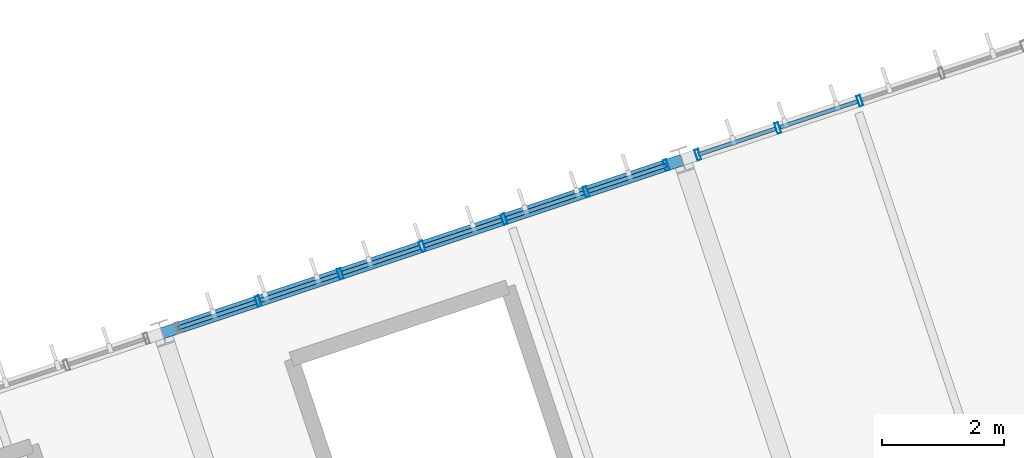
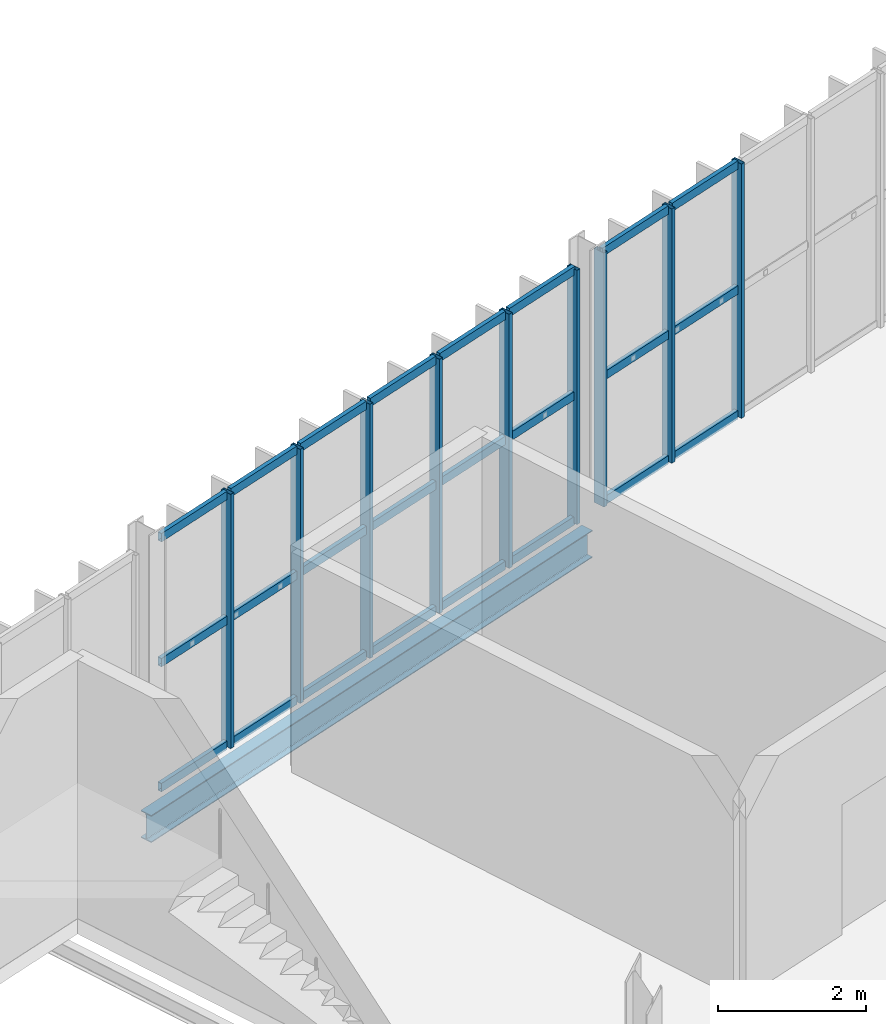
# One storey, part 90 of 152: 33 members, 1 beam, 2 elements without a shape of their own.
"""IFC4 building model written with IfcOpenShell, lengths in metres."""

from ifc_helpers import new_model, si_unit, derived_unit, direction, frame, origin, origin_2d, place, context, subcontext, project, spatial, hollow_rectangle, i_section, extrude, material, material_profile, profile_set, type_object, element, aggregate, save


model = new_model("IFC4")

# Units and contexts
model_context = context("Model", 3, precision=1e-05, world=origin(), true_north=direction((0.0, 1.0)))
body_context = subcontext(model_context, "Body", "Model", "MODEL_VIEW")
ifc_project = project(units=[si_unit("LENGTHUNIT", "METRE"), si_unit("AREAUNIT", "SQUARE_METRE"), si_unit("VOLUMEUNIT", "CUBIC_METRE"), si_unit("PLANEANGLEUNIT", "RADIAN"), si_unit("MASSUNIT", "GRAM", prefix="KILO"), si_unit("THERMODYNAMICTEMPERATUREUNIT", "KELVIN"), si_unit("TIMEUNIT", "SECOND"), derived_unit("THERMALTRANSMITTANCEUNIT", [(si_unit("MASSUNIT", "GRAM", prefix="KILO"), 1), (si_unit("THERMODYNAMICTEMPERATUREUNIT", "KELVIN"), -1), (si_unit("TIMEUNIT", "SECOND"), -3)])], contexts=[model_context])

# Site, building, storey
site_placement = place(None, origin())
site = spatial("IfcSite", under=ifc_project, at=site_placement, CompositionType="ELEMENT")
building_placement = place(site_placement, origin())
building = spatial("IfcBuilding", under=site, at=building_placement, Name="Cambertide Market Hall", CompositionType="ELEMENT")
storey_placement = place(building_placement, frame((0.0, 0.0, 5.39990234375)))
storey = spatial("IfcBuildingStorey", under=building, at=storey_placement, Name="L02", CompositionType="ELEMENT", Elevation=5.39990234375)

# Curtain wall, members
ifc_material_1 = material(Name="Marine Anodized Aluminium 6063-T6 AA25", Category="aluminium")
curtain_wall_type = type_object("IfcCurtainWallType", Name="Food Court Upper Glazed Facade", PredefinedType="USERDEFINED", material=ifc_material_1)
curtain_wall_1_placement = place(storey_placement, origin())
curtain_wall_1 = element("IfcCurtainWall", 1, at=curtain_wall_1_placement, inside=storey, type_object=curtain_wall_type, Name="Level 2 Curtain Wall CW-V3N-L02-6", ObjectType="UNITIZED CURTAIN WALL", PredefinedType="USERDEFINED")
ifc_material_2 = material(Name="Champagne Marine Anodized Aluminium 6063-T6 AA25", Category="aluminium")
ifc_material_profile_1 = material_profile(ifc_material_2, hollow_rectangle(XDim=0.06494140625, YDim=0.179931640625, WallThickness=0.00390625, at=origin_2d()), Name="ALU MULLION 65x180")
ifc_profile_set_1 = profile_set([ifc_material_profile_1], Name="Champagne Marine Anodized Aluminium 6063-T6 AA25")
member_type_1 = type_object("IfcMemberType", Name="Curtain Wall Mullion ALU MULLION 65x180", PredefinedType="MULLION", material=ifc_profile_set_1)
member_1_placement = place(storey_placement, frame((141.727294921875, 52.36962890625, 0.0), z_axis=(0.0, 0.0, 1.0), x_axis=(0.948683274577, 0.316227836438, 0.0)))
member_1 = element("IfcMember", 2, at=member_1_placement, type_object=member_type_1, Name="CW-V3N-L02-6 Mullion 2", PredefinedType="MULLION", context=body_context, shape_type="SweptSolid", body=[
    extrude(hollow_rectangle(XDim=0.06494140625, YDim=0.179931640625, WallThickness=0.00390625, at=origin_2d()), origin(), (0.0, 0.0, 1.0), 4.2001953125),
])
member_2_placement = place(storey_placement, frame((143.074462890625, 52.818603515625, 0.0), z_axis=(0.0, 0.0, 1.0), x_axis=(0.948683274577, 0.316227836438, 0.0)))
member_2 = element("IfcMember", 3, at=member_2_placement, type_object=member_type_1, Name="CW-V3N-L02-6 Mullion 3", PredefinedType="MULLION", context=body_context, shape_type="SweptSolid", body=[
    extrude(hollow_rectangle(XDim=0.06494140625, YDim=0.179931640625, WallThickness=0.00390625, at=origin_2d()), origin(), (0.0, 0.0, 1.0), 4.2001953125),
])
member_3_placement = place(storey_placement, frame((144.421630859375, 53.267822265625, 0.0), z_axis=(0.0, 0.0, 1.0), x_axis=(0.948683274577, 0.316227836438, 0.0)))
member_3 = element("IfcMember", 4, at=member_3_placement, type_object=member_type_1, Name="CW-V3N-L02-6 Mullion 4", PredefinedType="MULLION", context=body_context, shape_type="SweptSolid", body=[
    extrude(hollow_rectangle(XDim=0.06494140625, YDim=0.179931640625, WallThickness=0.00390625, at=origin_2d()), origin(), (0.0, 0.0, 1.0), 4.2001953125),
])
member_4_placement = place(storey_placement, frame((145.768798828125, 53.716796875, 0.0), z_axis=(0.0, 0.0, 1.0), x_axis=(0.948683274577, 0.316227836438, 0.0)))
member_4 = element("IfcMember", 5, at=member_4_placement, type_object=member_type_1, Name="CW-V3N-L02-6 Mullion 5", PredefinedType="MULLION", context=body_context, shape_type="SweptSolid", body=[
    extrude(hollow_rectangle(XDim=0.06494140625, YDim=0.179931640625, WallThickness=0.00390625, at=origin_2d()), origin(), (0.0, 0.0, 1.0), 4.2001953125),
])
member_5_placement = place(storey_placement, frame((147.115966796875, 54.165771484375, 0.0), z_axis=(0.0, 0.0, 1.0), x_axis=(0.948683274577, 0.316227836438, 0.0)))
member_5 = element("IfcMember", 6, at=member_5_placement, type_object=member_type_1, Name="CW-V3N-L02-6 Mullion 6", PredefinedType="MULLION", context=body_context, shape_type="SweptSolid", body=[
    extrude(hollow_rectangle(XDim=0.06494140625, YDim=0.179931640625, WallThickness=0.00390625, at=origin_2d()), origin(), (0.0, 0.0, 1.0), 4.2001953125),
])
member_6_placement = place(storey_placement, frame((148.429931640625, 54.603759765625, 0.0), z_axis=(0.0, 0.0, 1.0), x_axis=(0.948683274577, 0.316227836438, 0.0)))
member_6 = element("IfcMember", 7, at=member_6_placement, type_object=member_type_1, Name="CW-V3N-L02-6 Mullion 7", PredefinedType="MULLION", context=body_context, shape_type="SweptSolid", body=[
    extrude(hollow_rectangle(XDim=0.06494140625, YDim=0.179931640625, WallThickness=0.00390625, at=origin_2d()), origin(), (0.0, 0.0, 1.0), 4.2001953125),
])

curtain_wall_2_placement = place(storey_placement, origin())
curtain_wall_2 = element("IfcCurtainWall", 8, at=curtain_wall_2_placement, inside=storey, type_object=curtain_wall_type, Name="Level 2 Curtain Wall CW-V3N-L02-7", ObjectType="UNITIZED CURTAIN WALL", PredefinedType="USERDEFINED")
member_7_placement = place(storey_placement, frame((148.95166015625, 54.77783203125, 0.0), z_axis=(0.0, 0.0, 1.0), x_axis=(0.948683286311, 0.316227801236, 0.0)))
member_7 = element("IfcMember", 9, at=member_7_placement, type_object=member_type_1, Name="CW-V3N-L02-7 Mullion 1", PredefinedType="MULLION", context=body_context, shape_type="SweptSolid", body=[
    extrude(hollow_rectangle(XDim=0.06494140625, YDim=0.179931640625, WallThickness=0.00390625, at=origin_2d()), origin(), (0.0, 0.0, 1.0), 4.2001953125),
])
member_8_placement = place(storey_placement, frame((150.265625, 55.215576171875, 0.0), z_axis=(0.0, 0.0, 1.0), x_axis=(0.948683286311, 0.316227801236, 0.0)))
member_8 = element("IfcMember", 10, at=member_8_placement, type_object=member_type_1, Name="CW-V3N-L02-7 Mullion 2", PredefinedType="MULLION", context=body_context, shape_type="SweptSolid", body=[
    extrude(hollow_rectangle(XDim=0.06494140625, YDim=0.179931640625, WallThickness=0.00390625, at=origin_2d()), origin(), (0.0, 0.0, 1.0), 4.2001953125),
])
member_9_placement = place(storey_placement, frame((151.61279296875, 55.664794921875, 0.0), z_axis=(0.0, 0.0, 1.0), x_axis=(0.948683286311, 0.316227801236, 0.0)))
member_9 = element("IfcMember", 11, at=member_9_placement, type_object=member_type_1, Name="CW-V3N-L02-7 Mullion 3", PredefinedType="MULLION", context=body_context, shape_type="SweptSolid", body=[
    extrude(hollow_rectangle(XDim=0.06494140625, YDim=0.179931640625, WallThickness=0.00390625, at=origin_2d()), origin(), (0.0, 0.0, 1.0), 4.2001953125),
])

# Member
ifc_material_3 = material(Name="Champagne Marine Anodized Aluminium 6063-T6 AA25", Category="aluminium")
ifc_material_profile_2 = material_profile(ifc_material_3, hollow_rectangle(XDim=0.06494140625, YDim=0.139892578125, WallThickness=0.00341796875, at=origin_2d()), Name="ALU TRANSOM 65x140")
ifc_profile_set_2 = profile_set([ifc_material_profile_2], Name="Champagne Marine Anodized Aluminium 6063-T6 AA25")
member_type_2 = type_object("IfcMemberType", Name="Curtain Wall Transom ALU TRANSOM 65x140", PredefinedType="USERDEFINED", material=ifc_profile_set_2)
member_10_placement = place(storey_placement, frame((140.418212890625, 51.933349609375, 0.03515625), z_axis=(0.948719731918, 0.316118443418, 0.0), x_axis=(-0.316118443418, 0.948719731918, 0.0)))
member_10 = element("IfcMember", 12, at=member_10_placement, type_object=member_type_2, Name="CW-V3N-L02-6 Transom 1-1", ObjectType="TRANSOM", PredefinedType="USERDEFINED", context=body_context, shape_type="SweptSolid", body=[
    extrude(hollow_rectangle(XDim=0.06494140625, YDim=0.139892578125, WallThickness=0.00341796875, at=origin_2d()), origin(), (0.0, 0.0, 1.0), 1.33984375),
])

member_11_placement = place(storey_placement, frame((141.765380859375, 52.38232421875, 0.03515625), z_axis=(0.948665077442, 0.316282422593, 0.0), x_axis=(-0.316282422593, 0.948665077442, 0.0)))
member_11 = element("IfcMember", 13, at=member_11_placement, type_object=member_type_2, Name="CW-V3N-L02-6 Transom 1-2", ObjectType="TRANSOM", PredefinedType="USERDEFINED", context=body_context, shape_type="SweptSolid", body=[
    extrude(hollow_rectangle(XDim=0.06494140625, YDim=0.139892578125, WallThickness=0.00341796875, at=origin_2d()), origin(), (0.0, 0.0, 1.0), 1.340087890625),
])

member_12_placement = place(storey_placement, frame((143.112548828125, 52.831298828125, 0.03515625), z_axis=(0.948665077442, 0.316282422593, 0.0), x_axis=(-0.316282422593, 0.948665077442, 0.0)))
member_12 = element("IfcMember", 14, at=member_12_placement, type_object=member_type_2, Name="CW-V3N-L02-6 Transom 1-3", ObjectType="TRANSOM", PredefinedType="USERDEFINED", context=body_context, shape_type="SweptSolid", body=[
    extrude(hollow_rectangle(XDim=0.06494140625, YDim=0.139892578125, WallThickness=0.00341796875, at=origin_2d()), origin(), (0.0, 0.0, 1.0), 1.340087890625),
])

member_13_placement = place(storey_placement, frame((144.459716796875, 53.2802734375, 0.03515625), z_axis=(0.948665077442, 0.316282422593, 0.0), x_axis=(-0.316282422593, 0.948665077442, 0.0)))
member_13 = element("IfcMember", 15, at=member_13_placement, type_object=member_type_2, Name="CW-V3N-L02-6 Transom 1-4", ObjectType="TRANSOM", PredefinedType="USERDEFINED", context=body_context, shape_type="SweptSolid", body=[
    extrude(hollow_rectangle(XDim=0.06494140625, YDim=0.139892578125, WallThickness=0.00341796875, at=origin_2d()), origin(), (0.0, 0.0, 1.0), 1.340087890625),
])

member_14_placement = place(storey_placement, frame((145.806640625, 53.7294921875, 0.03515625), z_axis=(0.948719731918, 0.316118443418, 0.0), x_axis=(-0.316118443418, 0.948719731918, 0.0)))
member_14 = element("IfcMember", 16, at=member_14_placement, type_object=member_type_2, Name="CW-V3N-L02-6 Transom 1-5", ObjectType="TRANSOM", PredefinedType="USERDEFINED", context=body_context, shape_type="SweptSolid", body=[
    extrude(hollow_rectangle(XDim=0.06494140625, YDim=0.139892578125, WallThickness=0.00341796875, at=origin_2d()), origin(), (0.0, 0.0, 1.0), 1.33984375),
])

member_15_placement = place(storey_placement, frame((147.15380859375, 54.178466796875, 0.03515625), z_axis=(0.948665077442, 0.316282422593, 0.0), x_axis=(-0.316282422593, 0.948665077442, 0.0)))
member_15 = element("IfcMember", 17, at=member_15_placement, type_object=member_type_2, Name="CW-V3N-L02-6 Transom 1-6", ObjectType="TRANSOM", PredefinedType="USERDEFINED", context=body_context, shape_type="SweptSolid", body=[
    extrude(hollow_rectangle(XDim=0.06494140625, YDim=0.139892578125, WallThickness=0.00341796875, at=origin_2d()), origin(), (0.0, 0.0, 1.0), 1.340087890625),
])

member_16_placement = place(storey_placement, frame((140.418212890625, 51.933349609375, 2.10009765625), z_axis=(0.948719731918, 0.316118443418, 0.0), x_axis=(-0.316118443418, 0.948719731918, 0.0)))
member_16 = element("IfcMember", 18, at=member_16_placement, type_object=member_type_2, Name="CW-V3N-L02-6 Transom 2-1", ObjectType="TRANSOM", PredefinedType="USERDEFINED", context=body_context, shape_type="SweptSolid", body=[
    extrude(hollow_rectangle(XDim=0.06494140625, YDim=0.139892578125, WallThickness=0.00341796875, at=origin_2d()), origin(), (0.0, 0.0, 1.0), 1.33984375),
])

member_17_placement = place(storey_placement, frame((141.765380859375, 52.38232421875, 2.10009765625), z_axis=(0.948665077442, 0.316282422593, 0.0), x_axis=(-0.316282422593, 0.948665077442, 0.0)))
member_17 = element("IfcMember", 19, at=member_17_placement, type_object=member_type_2, Name="CW-V3N-L02-6 Transom 2-2", ObjectType="TRANSOM", PredefinedType="USERDEFINED", context=body_context, shape_type="SweptSolid", body=[
    extrude(hollow_rectangle(XDim=0.06494140625, YDim=0.139892578125, WallThickness=0.00341796875, at=origin_2d()), origin(), (0.0, 0.0, 1.0), 1.340087890625),
])

member_18_placement = place(storey_placement, frame((143.112548828125, 52.831298828125, 2.10009765625), z_axis=(0.948665077442, 0.316282422593, 0.0), x_axis=(-0.316282422593, 0.948665077442, 0.0)))
member_18 = element("IfcMember", 20, at=member_18_placement, type_object=member_type_2, Name="CW-V3N-L02-6 Transom 2-3", ObjectType="TRANSOM", PredefinedType="USERDEFINED", context=body_context, shape_type="SweptSolid", body=[
    extrude(hollow_rectangle(XDim=0.06494140625, YDim=0.139892578125, WallThickness=0.00341796875, at=origin_2d()), origin(), (0.0, 0.0, 1.0), 1.340087890625),
])

member_19_placement = place(storey_placement, frame((144.459716796875, 53.2802734375, 2.10009765625), z_axis=(0.948665077442, 0.316282422593, 0.0), x_axis=(-0.316282422593, 0.948665077442, 0.0)))
member_19 = element("IfcMember", 21, at=member_19_placement, type_object=member_type_2, Name="CW-V3N-L02-6 Transom 2-4", ObjectType="TRANSOM", PredefinedType="USERDEFINED", context=body_context, shape_type="SweptSolid", body=[
    extrude(hollow_rectangle(XDim=0.06494140625, YDim=0.139892578125, WallThickness=0.00341796875, at=origin_2d()), origin(), (0.0, 0.0, 1.0), 1.340087890625),
])

member_20_placement = place(storey_placement, frame((145.806640625, 53.7294921875, 2.10009765625), z_axis=(0.948719731918, 0.316118443418, 0.0), x_axis=(-0.316118443418, 0.948719731918, 0.0)))
member_20 = element("IfcMember", 22, at=member_20_placement, type_object=member_type_2, Name="CW-V3N-L02-6 Transom 2-5", ObjectType="TRANSOM", PredefinedType="USERDEFINED", context=body_context, shape_type="SweptSolid", body=[
    extrude(hollow_rectangle(XDim=0.06494140625, YDim=0.139892578125, WallThickness=0.00341796875, at=origin_2d()), origin(), (0.0, 0.0, 1.0), 1.33984375),
])

member_21_placement = place(storey_placement, frame((147.15380859375, 54.178466796875, 2.10009765625), z_axis=(0.948665077442, 0.316282422593, 0.0), x_axis=(-0.316282422593, 0.948665077442, 0.0)))
member_21 = element("IfcMember", 23, at=member_21_placement, type_object=member_type_2, Name="CW-V3N-L02-6 Transom 2-6", ObjectType="TRANSOM", PredefinedType="USERDEFINED", context=body_context, shape_type="SweptSolid", body=[
    extrude(hollow_rectangle(XDim=0.06494140625, YDim=0.139892578125, WallThickness=0.00341796875, at=origin_2d()), origin(), (0.0, 0.0, 1.0), 1.340087890625),
])

member_22_placement = place(storey_placement, frame((140.418212890625, 51.933349609375, 4.1650390625), z_axis=(0.948719731918, 0.316118443418, 0.0), x_axis=(-0.316118443418, 0.948719731918, 0.0)))
member_22 = element("IfcMember", 24, at=member_22_placement, type_object=member_type_2, Name="CW-V3N-L02-6 Transom 3-1", ObjectType="TRANSOM", PredefinedType="USERDEFINED", context=body_context, shape_type="SweptSolid", body=[
    extrude(hollow_rectangle(XDim=0.06494140625, YDim=0.139892578125, WallThickness=0.00341796875, at=origin_2d()), origin(), (0.0, 0.0, 1.0), 1.33984375),
])

member_23_placement = place(storey_placement, frame((141.765380859375, 52.38232421875, 4.1650390625), z_axis=(0.948665077442, 0.316282422593, 0.0), x_axis=(-0.316282422593, 0.948665077442, 0.0)))
member_23 = element("IfcMember", 25, at=member_23_placement, type_object=member_type_2, Name="CW-V3N-L02-6 Transom 3-2", ObjectType="TRANSOM", PredefinedType="USERDEFINED", context=body_context, shape_type="SweptSolid", body=[
    extrude(hollow_rectangle(XDim=0.06494140625, YDim=0.139892578125, WallThickness=0.00341796875, at=origin_2d()), origin(), (0.0, 0.0, 1.0), 1.340087890625),
])

member_24_placement = place(storey_placement, frame((143.112548828125, 52.831298828125, 4.1650390625), z_axis=(0.948665077442, 0.316282422593, 0.0), x_axis=(-0.316282422593, 0.948665077442, 0.0)))
member_24 = element("IfcMember", 26, at=member_24_placement, type_object=member_type_2, Name="CW-V3N-L02-6 Transom 3-3", ObjectType="TRANSOM", PredefinedType="USERDEFINED", context=body_context, shape_type="SweptSolid", body=[
    extrude(hollow_rectangle(XDim=0.06494140625, YDim=0.139892578125, WallThickness=0.00341796875, at=origin_2d()), origin(), (0.0, 0.0, 1.0), 1.340087890625),
])

member_25_placement = place(storey_placement, frame((144.459716796875, 53.2802734375, 4.1650390625), z_axis=(0.948665077442, 0.316282422593, 0.0), x_axis=(-0.316282422593, 0.948665077442, 0.0)))
member_25 = element("IfcMember", 27, at=member_25_placement, type_object=member_type_2, Name="CW-V3N-L02-6 Transom 3-4", ObjectType="TRANSOM", PredefinedType="USERDEFINED", context=body_context, shape_type="SweptSolid", body=[
    extrude(hollow_rectangle(XDim=0.06494140625, YDim=0.139892578125, WallThickness=0.00341796875, at=origin_2d()), origin(), (0.0, 0.0, 1.0), 1.340087890625),
])

member_26_placement = place(storey_placement, frame((145.806640625, 53.7294921875, 4.1650390625), z_axis=(0.948719731918, 0.316118443418, 0.0), x_axis=(-0.316118443418, 0.948719731918, 0.0)))
member_26 = element("IfcMember", 28, at=member_26_placement, type_object=member_type_2, Name="CW-V3N-L02-6 Transom 3-5", ObjectType="TRANSOM", PredefinedType="USERDEFINED", context=body_context, shape_type="SweptSolid", body=[
    extrude(hollow_rectangle(XDim=0.06494140625, YDim=0.139892578125, WallThickness=0.00341796875, at=origin_2d()), origin(), (0.0, 0.0, 1.0), 1.33984375),
])

member_27_placement = place(storey_placement, frame((147.15380859375, 54.178466796875, 4.1650390625), z_axis=(0.948665077442, 0.316282422593, 0.0), x_axis=(-0.316282422593, 0.948665077442, 0.0)))
member_27 = element("IfcMember", 29, at=member_27_placement, type_object=member_type_2, Name="CW-V3N-L02-6 Transom 3-6", ObjectType="TRANSOM", PredefinedType="USERDEFINED", context=body_context, shape_type="SweptSolid", body=[
    extrude(hollow_rectangle(XDim=0.06494140625, YDim=0.139892578125, WallThickness=0.00341796875, at=origin_2d()), origin(), (0.0, 0.0, 1.0), 1.340087890625),
])

aggregate(curtain_wall_1, [member_1, member_2, member_3, member_4, member_5, member_6, member_10, member_11, member_12, member_13, member_14, member_15, member_16, member_17, member_18, member_19, member_20, member_21, member_22, member_23, member_24, member_25, member_26, member_27])

member_28_placement = place(storey_placement, frame((148.956298828125, 54.779296875, 0.03515625), z_axis=(0.948665077442, 0.316282422593, 0.0), x_axis=(-0.316282422593, 0.948665077442, 0.0)))
member_28 = element("IfcMember", 30, at=member_28_placement, type_object=member_type_2, Name="CW-V3N-L02-7 Transom 1-1", ObjectType="TRANSOM", PredefinedType="USERDEFINED", context=body_context, shape_type="SweptSolid", body=[
    extrude(hollow_rectangle(XDim=0.06494140625, YDim=0.139892578125, WallThickness=0.00341796875, at=origin_2d()), origin(), (0.0, 0.0, 1.0), 1.340087890625),
])

member_29_placement = place(storey_placement, frame((150.303466796875, 55.228271484375, 0.03515625), z_axis=(0.948665077442, 0.316282422593, 0.0), x_axis=(-0.316282422593, 0.948665077442, 0.0)))
member_29 = element("IfcMember", 31, at=member_29_placement, type_object=member_type_2, Name="CW-V3N-L02-7 Transom 1-2", ObjectType="TRANSOM", PredefinedType="USERDEFINED", context=body_context, shape_type="SweptSolid", body=[
    extrude(hollow_rectangle(XDim=0.06494140625, YDim=0.139892578125, WallThickness=0.00341796875, at=origin_2d()), origin(), (0.0, 0.0, 1.0), 1.340087890625),
])

member_30_placement = place(storey_placement, frame((148.956298828125, 54.779296875, 2.10009765625), z_axis=(0.948665077442, 0.316282422593, 0.0), x_axis=(-0.316282422593, 0.948665077442, 0.0)))
member_30 = element("IfcMember", 32, at=member_30_placement, type_object=member_type_2, Name="CW-V3N-L02-7 Transom 2-1", ObjectType="TRANSOM", PredefinedType="USERDEFINED", context=body_context, shape_type="SweptSolid", body=[
    extrude(hollow_rectangle(XDim=0.06494140625, YDim=0.139892578125, WallThickness=0.00341796875, at=origin_2d()), origin(), (0.0, 0.0, 1.0), 1.340087890625),
])

member_31_placement = place(storey_placement, frame((150.303466796875, 55.228271484375, 2.10009765625), z_axis=(0.948665077442, 0.316282422593, 0.0), x_axis=(-0.316282422593, 0.948665077442, 0.0)))
member_31 = element("IfcMember", 33, at=member_31_placement, type_object=member_type_2, Name="CW-V3N-L02-7 Transom 2-2", ObjectType="TRANSOM", PredefinedType="USERDEFINED", context=body_context, shape_type="SweptSolid", body=[
    extrude(hollow_rectangle(XDim=0.06494140625, YDim=0.139892578125, WallThickness=0.00341796875, at=origin_2d()), origin(), (0.0, 0.0, 1.0), 1.340087890625),
])

member_32_placement = place(storey_placement, frame((148.956298828125, 54.779296875, 4.1650390625), z_axis=(0.948665077442, 0.316282422593, 0.0), x_axis=(-0.316282422593, 0.948665077442, 0.0)))
member_32 = element("IfcMember", 34, at=member_32_placement, type_object=member_type_2, Name="CW-V3N-L02-7 Transom 3-1", ObjectType="TRANSOM", PredefinedType="USERDEFINED", context=body_context, shape_type="SweptSolid", body=[
    extrude(hollow_rectangle(XDim=0.06494140625, YDim=0.139892578125, WallThickness=0.00341796875, at=origin_2d()), origin(), (0.0, 0.0, 1.0), 1.340087890625),
])

member_33_placement = place(storey_placement, frame((150.303466796875, 55.228271484375, 4.1650390625), z_axis=(0.948665077442, 0.316282422593, 0.0), x_axis=(-0.316282422593, 0.948665077442, 0.0)))
member_33 = element("IfcMember", 35, at=member_33_placement, type_object=member_type_2, Name="CW-V3N-L02-7 Transom 3-2", ObjectType="TRANSOM", PredefinedType="USERDEFINED", context=body_context, shape_type="SweptSolid", body=[
    extrude(hollow_rectangle(XDim=0.06494140625, YDim=0.139892578125, WallThickness=0.00341796875, at=origin_2d()), origin(), (0.0, 0.0, 1.0), 1.340087890625),
])

aggregate(curtain_wall_2, [member_7, member_8, member_9, member_28, member_29, member_30, member_31, member_32, member_33])

# Beam
ifc_material_4 = material(Name="Steel S355", Category="steel")
ifc_material_profile_3 = material_profile(ifc_material_4, i_section(OverallWidth=0.18994140625, OverallDepth=0.449951171875, WebThickness=0.009521484375, FlangeThickness=0.0146484375, FilletRadius=0.02099609375, at=origin_2d()), Name="IPE 450")
ifc_profile_set_3 = profile_set([ifc_material_profile_3], Name="Steel S355")
beam_type = type_object("IfcBeamType", Name="Perimeter Spandrel Beam IPE 450", PredefinedType="SPANDREL", material=ifc_profile_set_3)
beam_placement = place(storey_placement, frame((140.152587890625, 51.8447265625, -0.474853515625), z_axis=(0.948686010717, 0.3162196279, 0.0), x_axis=(-0.3162196279, 0.948686010717, 0.0)))
element("IfcBeam", 36, at=beam_placement, inside=storey, type_object=beam_type, Name="Level 2 Spandrel BM-V3U-L02-6-4", PredefinedType="SPANDREL", context=body_context, shape_type="SweptSolid", body=[
    extrude(i_section(OverallWidth=0.18994140625, OverallDepth=0.449951171875, WebThickness=0.009521484375, FlangeThickness=0.0146484375, FilletRadius=0.02099609375, at=origin_2d()), origin(), (0.0, 0.0, 1.0), 9.0),
])

save(model, "model.ifc")
